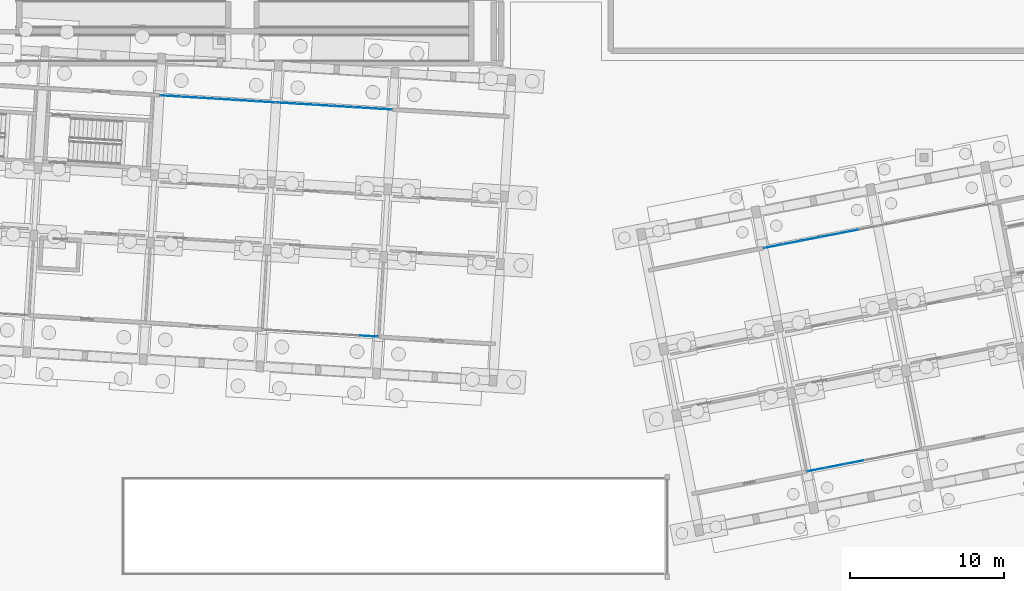
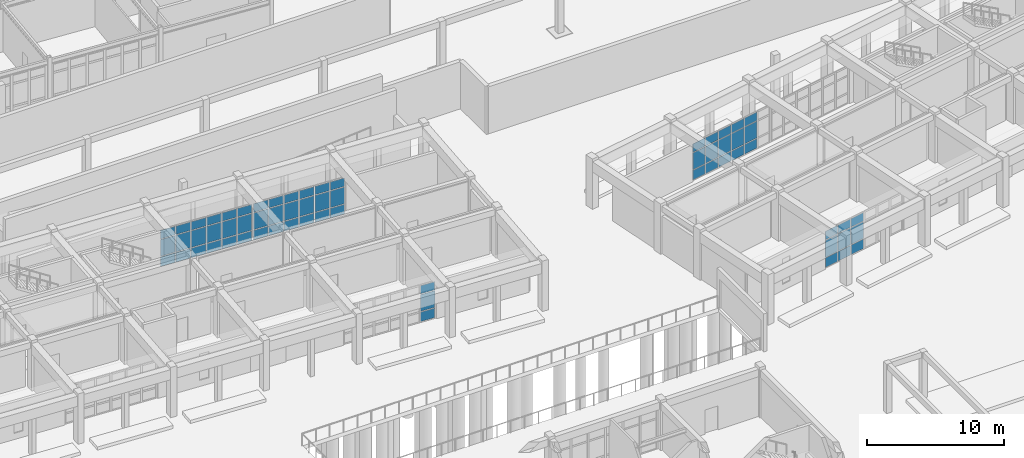
# One storey, part 106 of 154: 63 plates, 5 elements without a shape of their own.
"""IFC4 building model written with IfcOpenShell, lengths in metres."""

from ifc_helpers import new_model, si_unit, direction, frame, origin, origin_2d, place, context, subcontext, project, spatial, rectangle, extrude, material, layer, layer_set, type_object, element, aggregate, save


model = new_model("IFC4")

# Units and contexts
model_context = context("Model", 3, precision=1e-05, world=origin(), true_north=direction((0.0, 1.0)))
body_context = subcontext(model_context, "Body", "Model", "MODEL_VIEW")
ifc_project = project(units=[si_unit("LENGTHUNIT", "METRE"), si_unit("AREAUNIT", "SQUARE_METRE"), si_unit("VOLUMEUNIT", "CUBIC_METRE"), si_unit("PLANEANGLEUNIT", "RADIAN"), si_unit("MASSUNIT", "GRAM", prefix="KILO")], contexts=[model_context])

# Site, building, storey
site_placement = place(None, origin())
site = spatial("IfcSite", under=ifc_project, at=site_placement, CompositionType="ELEMENT")
building_placement = place(site_placement, origin())
building = spatial("IfcBuilding", under=site, at=building_placement, Name="Kestramere Prow Commons", CompositionType="ELEMENT")
storey_placement = place(building_placement, origin())
storey = spatial("IfcBuildingStorey", under=building, at=storey_placement, Name="L00", CompositionType="ELEMENT", Elevation=0.0)

# Curtain wall, plates
ifc_material_1 = material(Name="Anodised Aluminium and Low-E Glass", Category="aluminium")
curtain_wall_type = type_object("IfcCurtainWallType", Name="CW-07 Glazed Curtain Wall 7580x3350", PredefinedType="USERDEFINED", material=ifc_material_1)
curtain_wall_1_placement = place(storey_placement, origin())
curtain_wall_1 = element("IfcCurtainWall", 1, at=curtain_wall_1_placement, inside=storey, type_object=curtain_wall_type, Name="Block C L00 South Colonnade Storefront 5", ObjectType="GLAZED CURTAIN WALL", PredefinedType="USERDEFINED")
ifc_material_2 = material(Name="Low-E Laminated Double Glazing", Category="glass")
ifc_layer = layer(ifc_material_2, 0.028076171875)
ifc_layer_set = layer_set([ifc_layer], Name="Low-E Laminated Double Glazing")
plate_type = type_object("IfcPlateType", Name="CW-PNL-28", PredefinedType="CURTAIN_PANEL", material=ifc_layer_set)
plate_1_placement = place(storey_placement, frame((96.9189453125, 46.61572265625, 0.06494140625), z_axis=(0.0, 0.0, 1.0), x_axis=(-0.998134797477, 0.061048554987, 0.0)))
plate_1 = element("IfcPlate", 2, at=plate_1_placement, type_object=plate_type, Name="CW-07 panel 1.1", PredefinedType="CURTAIN_PANEL", context=body_context, shape_type="SweptSolid", body=[
    extrude(rectangle(XDim=1.165771484375, YDim=0.028076171875, at=origin_2d()), origin(), (0.0, 0.0, 1.0), 0.8525390625),
])
plate_2_placement = place(storey_placement, frame((96.9189453125, 46.61572265625, 0.982421875), z_axis=(0.0, 0.0, 1.0), x_axis=(-0.998134797477, 0.061048554987, 0.0)))
plate_2 = element("IfcPlate", 3, at=plate_2_placement, type_object=plate_type, Name="CW-07 panel 1.2", PredefinedType="CURTAIN_PANEL", context=body_context, shape_type="SweptSolid", body=[
    extrude(rectangle(XDim=1.165771484375, YDim=0.028076171875, at=origin_2d()), origin(), (0.0, 0.0, 1.0), 1.485107421875),
])
plate_3_placement = place(storey_placement, frame((96.9189453125, 46.61572265625, 2.532470703125), z_axis=(0.0, 0.0, 1.0), x_axis=(-0.998134797477, 0.061048554987, 0.0)))
plate_3 = element("IfcPlate", 4, at=plate_3_placement, type_object=plate_type, Name="CW-07 panel 1.3", PredefinedType="CURTAIN_PANEL", context=body_context, shape_type="SweptSolid", body=[
    extrude(rectangle(XDim=1.165771484375, YDim=0.028076171875, at=origin_2d()), origin(), (0.0, 0.0, 1.0), 0.75244140625),
])
aggregate(curtain_wall_1, [plate_1, plate_2, plate_3])

curtain_wall_2_placement = place(storey_placement, origin())
curtain_wall_2 = element("IfcCurtainWall", 5, at=curtain_wall_2_placement, inside=storey, type_object=curtain_wall_type, Name="Block C L00 North Courtyard Storefront 4", ObjectType="GLAZED CURTAIN WALL", PredefinedType="USERDEFINED")
plate_4_placement = place(storey_placement, frame((83.964111328125, 62.23583984375, 0.06494140625), z_axis=(0.0, 0.0, 1.0), x_axis=(0.998134797477, -0.061048554987, 0.0)))
plate_4 = element("IfcPlate", 6, at=plate_4_placement, type_object=plate_type, Name="CW-07 panel 1.1", PredefinedType="CURTAIN_PANEL", context=body_context, shape_type="SweptSolid", body=[
    extrude(rectangle(XDim=1.165771484375, YDim=0.028076171875, at=origin_2d()), origin(), (0.0, 0.0, 1.0), 0.8525390625),
])
plate_5_placement = place(storey_placement, frame((83.964111328125, 62.23583984375, 0.982421875), z_axis=(0.0, 0.0, 1.0), x_axis=(0.998134797477, -0.061048554987, 0.0)))
plate_5 = element("IfcPlate", 7, at=plate_5_placement, type_object=plate_type, Name="CW-07 panel 1.2", PredefinedType="CURTAIN_PANEL", context=body_context, shape_type="SweptSolid", body=[
    extrude(rectangle(XDim=1.165771484375, YDim=0.028076171875, at=origin_2d()), origin(), (0.0, 0.0, 1.0), 1.485107421875),
])
plate_6_placement = place(storey_placement, frame((83.964111328125, 62.23583984375, 2.532470703125), z_axis=(0.0, 0.0, 1.0), x_axis=(0.998134797477, -0.061048554987, 0.0)))
plate_6 = element("IfcPlate", 8, at=plate_6_placement, type_object=plate_type, Name="CW-07 panel 1.3", PredefinedType="CURTAIN_PANEL", context=body_context, shape_type="SweptSolid", body=[
    extrude(rectangle(XDim=1.165771484375, YDim=0.028076171875, at=origin_2d()), origin(), (0.0, 0.0, 1.0), 0.75244140625),
])
plate_7_placement = place(storey_placement, frame((85.208984375, 62.15966796875, 0.06494140625), z_axis=(0.0, 0.0, 1.0), x_axis=(0.998134797477, -0.061048554987, 0.0)))
plate_7 = element("IfcPlate", 9, at=plate_7_placement, type_object=plate_type, Name="CW-07 panel 2.1", PredefinedType="CURTAIN_PANEL", context=body_context, shape_type="SweptSolid", body=[
    extrude(rectangle(XDim=1.1982421875, YDim=0.028076171875, at=origin_2d()), origin(), (0.0, 0.0, 1.0), 0.8525390625),
])
plate_8_placement = place(storey_placement, frame((85.208984375, 62.15966796875, 0.982421875), z_axis=(0.0, 0.0, 1.0), x_axis=(0.998134797477, -0.061048554987, 0.0)))
plate_8 = element("IfcPlate", 10, at=plate_8_placement, type_object=plate_type, Name="CW-07 panel 2.2", PredefinedType="CURTAIN_PANEL", context=body_context, shape_type="SweptSolid", body=[
    extrude(rectangle(XDim=1.1982421875, YDim=0.028076171875, at=origin_2d()), origin(), (0.0, 0.0, 1.0), 1.485107421875),
])
plate_9_placement = place(storey_placement, frame((85.208984375, 62.15966796875, 2.532470703125), z_axis=(0.0, 0.0, 1.0), x_axis=(0.998134797477, -0.061048554987, 0.0)))
plate_9 = element("IfcPlate", 11, at=plate_9_placement, type_object=plate_type, Name="CW-07 panel 2.3", PredefinedType="CURTAIN_PANEL", context=body_context, shape_type="SweptSolid", body=[
    extrude(rectangle(XDim=1.1982421875, YDim=0.028076171875, at=origin_2d()), origin(), (0.0, 0.0, 1.0), 0.75244140625),
])
plate_10_placement = place(storey_placement, frame((86.469970703125, 62.08251953125, 0.06494140625), z_axis=(0.0, 0.0, 1.0), x_axis=(0.998134797477, -0.061048554987, 0.0)))
plate_10 = element("IfcPlate", 12, at=plate_10_placement, type_object=plate_type, Name="CW-07 panel 3.1", PredefinedType="CURTAIN_PANEL", context=body_context, shape_type="SweptSolid", body=[
    extrude(rectangle(XDim=1.1982421875, YDim=0.028076171875, at=origin_2d()), origin(), (0.0, 0.0, 1.0), 0.8525390625),
])
plate_11_placement = place(storey_placement, frame((86.469970703125, 62.08251953125, 0.982421875), z_axis=(0.0, 0.0, 1.0), x_axis=(0.998134797477, -0.061048554987, 0.0)))
plate_11 = element("IfcPlate", 13, at=plate_11_placement, type_object=plate_type, Name="CW-07 panel 3.2", PredefinedType="CURTAIN_PANEL", context=body_context, shape_type="SweptSolid", body=[
    extrude(rectangle(XDim=1.1982421875, YDim=0.028076171875, at=origin_2d()), origin(), (0.0, 0.0, 1.0), 1.485107421875),
])
plate_12_placement = place(storey_placement, frame((86.469970703125, 62.08251953125, 2.532470703125), z_axis=(0.0, 0.0, 1.0), x_axis=(0.998134797477, -0.061048554987, 0.0)))
plate_12 = element("IfcPlate", 14, at=plate_12_placement, type_object=plate_type, Name="CW-07 panel 3.3", PredefinedType="CURTAIN_PANEL", context=body_context, shape_type="SweptSolid", body=[
    extrude(rectangle(XDim=1.1982421875, YDim=0.028076171875, at=origin_2d()), origin(), (0.0, 0.0, 1.0), 0.75244140625),
])
plate_13_placement = place(storey_placement, frame((87.73095703125, 62.00537109375, 0.06494140625), z_axis=(0.0, 0.0, 1.0), x_axis=(0.998134797477, -0.061048554987, 0.0)))
plate_13 = element("IfcPlate", 15, at=plate_13_placement, type_object=plate_type, Name="CW-07 panel 4.1", PredefinedType="CURTAIN_PANEL", context=body_context, shape_type="SweptSolid", body=[
    extrude(rectangle(XDim=1.1982421875, YDim=0.028076171875, at=origin_2d()), origin(), (0.0, 0.0, 1.0), 0.8525390625),
])
plate_14_placement = place(storey_placement, frame((87.73095703125, 62.00537109375, 0.982421875), z_axis=(0.0, 0.0, 1.0), x_axis=(0.998134797477, -0.061048554987, 0.0)))
plate_14 = element("IfcPlate", 16, at=plate_14_placement, type_object=plate_type, Name="CW-07 panel 4.2", PredefinedType="CURTAIN_PANEL", context=body_context, shape_type="SweptSolid", body=[
    extrude(rectangle(XDim=1.1982421875, YDim=0.028076171875, at=origin_2d()), origin(), (0.0, 0.0, 1.0), 1.485107421875),
])
plate_15_placement = place(storey_placement, frame((87.73095703125, 62.00537109375, 2.532470703125), z_axis=(0.0, 0.0, 1.0), x_axis=(0.998134797477, -0.061048554987, 0.0)))
plate_15 = element("IfcPlate", 17, at=plate_15_placement, type_object=plate_type, Name="CW-07 panel 4.3", PredefinedType="CURTAIN_PANEL", context=body_context, shape_type="SweptSolid", body=[
    extrude(rectangle(XDim=1.1982421875, YDim=0.028076171875, at=origin_2d()), origin(), (0.0, 0.0, 1.0), 0.75244140625),
])
plate_16_placement = place(storey_placement, frame((88.991943359375, 61.92822265625, 0.06494140625), z_axis=(0.0, 0.0, 1.0), x_axis=(0.998134797477, -0.061048554987, 0.0)))
plate_16 = element("IfcPlate", 18, at=plate_16_placement, type_object=plate_type, Name="CW-07 panel 5.1", PredefinedType="CURTAIN_PANEL", context=body_context, shape_type="SweptSolid", body=[
    extrude(rectangle(XDim=1.1982421875, YDim=0.028076171875, at=origin_2d()), origin(), (0.0, 0.0, 1.0), 0.8525390625),
])
plate_17_placement = place(storey_placement, frame((88.991943359375, 61.92822265625, 0.982421875), z_axis=(0.0, 0.0, 1.0), x_axis=(0.998134797477, -0.061048554987, 0.0)))
plate_17 = element("IfcPlate", 19, at=plate_17_placement, type_object=plate_type, Name="CW-07 panel 5.2", PredefinedType="CURTAIN_PANEL", context=body_context, shape_type="SweptSolid", body=[
    extrude(rectangle(XDim=1.1982421875, YDim=0.028076171875, at=origin_2d()), origin(), (0.0, 0.0, 1.0), 1.485107421875),
])
plate_18_placement = place(storey_placement, frame((88.991943359375, 61.92822265625, 2.532470703125), z_axis=(0.0, 0.0, 1.0), x_axis=(0.998134797477, -0.061048554987, 0.0)))
plate_18 = element("IfcPlate", 20, at=plate_18_placement, type_object=plate_type, Name="CW-07 panel 5.3", PredefinedType="CURTAIN_PANEL", context=body_context, shape_type="SweptSolid", body=[
    extrude(rectangle(XDim=1.1982421875, YDim=0.028076171875, at=origin_2d()), origin(), (0.0, 0.0, 1.0), 0.75244140625),
])
plate_19_placement = place(storey_placement, frame((90.236572265625, 61.852294921875, 0.06494140625), z_axis=(0.0, 0.0, 1.0), x_axis=(0.998134797477, -0.061048554987, 0.0)))
plate_19 = element("IfcPlate", 21, at=plate_19_placement, type_object=plate_type, Name="CW-07 panel 6.1", PredefinedType="CURTAIN_PANEL", context=body_context, shape_type="SweptSolid", body=[
    extrude(rectangle(XDim=1.165771484375, YDim=0.028076171875, at=origin_2d()), origin(), (0.0, 0.0, 1.0), 0.8525390625),
])
plate_20_placement = place(storey_placement, frame((90.236572265625, 61.852294921875, 0.982421875), z_axis=(0.0, 0.0, 1.0), x_axis=(0.998134797477, -0.061048554987, 0.0)))
plate_20 = element("IfcPlate", 22, at=plate_20_placement, type_object=plate_type, Name="CW-07 panel 6.2", PredefinedType="CURTAIN_PANEL", context=body_context, shape_type="SweptSolid", body=[
    extrude(rectangle(XDim=1.165771484375, YDim=0.028076171875, at=origin_2d()), origin(), (0.0, 0.0, 1.0), 1.485107421875),
])
plate_21_placement = place(storey_placement, frame((90.236572265625, 61.852294921875, 2.532470703125), z_axis=(0.0, 0.0, 1.0), x_axis=(0.998134797477, -0.061048554987, 0.0)))
plate_21 = element("IfcPlate", 23, at=plate_21_placement, type_object=plate_type, Name="CW-07 panel 6.3", PredefinedType="CURTAIN_PANEL", context=body_context, shape_type="SweptSolid", body=[
    extrude(rectangle(XDim=1.165771484375, YDim=0.028076171875, at=origin_2d()), origin(), (0.0, 0.0, 1.0), 0.75244140625),
])
aggregate(curtain_wall_2, [plate_4, plate_5, plate_6, plate_7, plate_8, plate_9, plate_10, plate_11, plate_12, plate_13, plate_14, plate_15, plate_16, plate_17, plate_18, plate_19, plate_20, plate_21])

curtain_wall_3_placement = place(storey_placement, origin())
curtain_wall_3 = element("IfcCurtainWall", 24, at=curtain_wall_3_placement, inside=storey, type_object=curtain_wall_type, Name="Block C L00 North Courtyard Storefront 5", ObjectType="GLAZED CURTAIN WALL", PredefinedType="USERDEFINED")
plate_22_placement = place(storey_placement, frame((91.550048828125, 61.77197265625, 0.06494140625), z_axis=(0.0, 0.0, 1.0), x_axis=(0.998134806007, -0.061048415517, 0.0)))
plate_22 = element("IfcPlate", 25, at=plate_22_placement, type_object=plate_type, Name="CW-07 panel 1.1", PredefinedType="CURTAIN_PANEL", context=body_context, shape_type="SweptSolid", body=[
    extrude(rectangle(XDim=1.165771484375, YDim=0.028076171875, at=origin_2d()), origin(), (0.0, 0.0, 1.0), 0.8525390625),
])
plate_23_placement = place(storey_placement, frame((91.550048828125, 61.77197265625, 0.982421875), z_axis=(0.0, 0.0, 1.0), x_axis=(0.998134806007, -0.061048415517, 0.0)))
plate_23 = element("IfcPlate", 26, at=plate_23_placement, type_object=plate_type, Name="CW-07 panel 1.2", PredefinedType="CURTAIN_PANEL", context=body_context, shape_type="SweptSolid", body=[
    extrude(rectangle(XDim=1.165771484375, YDim=0.028076171875, at=origin_2d()), origin(), (0.0, 0.0, 1.0), 1.485107421875),
])
plate_24_placement = place(storey_placement, frame((91.550048828125, 61.77197265625, 2.532470703125), z_axis=(0.0, 0.0, 1.0), x_axis=(0.998134806007, -0.061048415517, 0.0)))
plate_24 = element("IfcPlate", 27, at=plate_24_placement, type_object=plate_type, Name="CW-07 panel 1.3", PredefinedType="CURTAIN_PANEL", context=body_context, shape_type="SweptSolid", body=[
    extrude(rectangle(XDim=1.165771484375, YDim=0.028076171875, at=origin_2d()), origin(), (0.0, 0.0, 1.0), 0.75244140625),
])
plate_25_placement = place(storey_placement, frame((92.794677734375, 61.69580078125, 0.06494140625), z_axis=(0.0, 0.0, 1.0), x_axis=(0.998134806007, -0.061048415517, 0.0)))
plate_25 = element("IfcPlate", 28, at=plate_25_placement, type_object=plate_type, Name="CW-07 panel 2.1", PredefinedType="CURTAIN_PANEL", context=body_context, shape_type="SweptSolid", body=[
    extrude(rectangle(XDim=1.1982421875, YDim=0.028076171875, at=origin_2d()), origin(), (0.0, 0.0, 1.0), 0.8525390625),
])
plate_26_placement = place(storey_placement, frame((92.794677734375, 61.69580078125, 0.982421875), z_axis=(0.0, 0.0, 1.0), x_axis=(0.998134806007, -0.061048415517, 0.0)))
plate_26 = element("IfcPlate", 29, at=plate_26_placement, type_object=plate_type, Name="CW-07 panel 2.2", PredefinedType="CURTAIN_PANEL", context=body_context, shape_type="SweptSolid", body=[
    extrude(rectangle(XDim=1.1982421875, YDim=0.028076171875, at=origin_2d()), origin(), (0.0, 0.0, 1.0), 1.485107421875),
])
plate_27_placement = place(storey_placement, frame((92.794677734375, 61.69580078125, 2.532470703125), z_axis=(0.0, 0.0, 1.0), x_axis=(0.998134806007, -0.061048415517, 0.0)))
plate_27 = element("IfcPlate", 30, at=plate_27_placement, type_object=plate_type, Name="CW-07 panel 2.3", PredefinedType="CURTAIN_PANEL", context=body_context, shape_type="SweptSolid", body=[
    extrude(rectangle(XDim=1.1982421875, YDim=0.028076171875, at=origin_2d()), origin(), (0.0, 0.0, 1.0), 0.75244140625),
])
plate_28_placement = place(storey_placement, frame((94.0556640625, 61.61865234375, 0.06494140625), z_axis=(0.0, 0.0, 1.0), x_axis=(0.998134806007, -0.061048415517, 0.0)))
plate_28 = element("IfcPlate", 31, at=plate_28_placement, type_object=plate_type, Name="CW-07 panel 3.1", PredefinedType="CURTAIN_PANEL", context=body_context, shape_type="SweptSolid", body=[
    extrude(rectangle(XDim=1.1982421875, YDim=0.028076171875, at=origin_2d()), origin(), (0.0, 0.0, 1.0), 0.8525390625),
])
plate_29_placement = place(storey_placement, frame((94.0556640625, 61.61865234375, 0.982421875), z_axis=(0.0, 0.0, 1.0), x_axis=(0.998134806007, -0.061048415517, 0.0)))
plate_29 = element("IfcPlate", 32, at=plate_29_placement, type_object=plate_type, Name="CW-07 panel 3.2", PredefinedType="CURTAIN_PANEL", context=body_context, shape_type="SweptSolid", body=[
    extrude(rectangle(XDim=1.1982421875, YDim=0.028076171875, at=origin_2d()), origin(), (0.0, 0.0, 1.0), 1.485107421875),
])
plate_30_placement = place(storey_placement, frame((94.0556640625, 61.61865234375, 2.532470703125), z_axis=(0.0, 0.0, 1.0), x_axis=(0.998134806007, -0.061048415517, 0.0)))
plate_30 = element("IfcPlate", 33, at=plate_30_placement, type_object=plate_type, Name="CW-07 panel 3.3", PredefinedType="CURTAIN_PANEL", context=body_context, shape_type="SweptSolid", body=[
    extrude(rectangle(XDim=1.1982421875, YDim=0.028076171875, at=origin_2d()), origin(), (0.0, 0.0, 1.0), 0.75244140625),
])
plate_31_placement = place(storey_placement, frame((95.316650390625, 61.54150390625, 0.06494140625), z_axis=(0.0, 0.0, 1.0), x_axis=(0.998134806007, -0.061048415517, 0.0)))
plate_31 = element("IfcPlate", 34, at=plate_31_placement, type_object=plate_type, Name="CW-07 panel 4.1", PredefinedType="CURTAIN_PANEL", context=body_context, shape_type="SweptSolid", body=[
    extrude(rectangle(XDim=1.1982421875, YDim=0.028076171875, at=origin_2d()), origin(), (0.0, 0.0, 1.0), 0.8525390625),
])
plate_32_placement = place(storey_placement, frame((95.316650390625, 61.54150390625, 0.982421875), z_axis=(0.0, 0.0, 1.0), x_axis=(0.998134806007, -0.061048415517, 0.0)))
plate_32 = element("IfcPlate", 35, at=plate_32_placement, type_object=plate_type, Name="CW-07 panel 4.2", PredefinedType="CURTAIN_PANEL", context=body_context, shape_type="SweptSolid", body=[
    extrude(rectangle(XDim=1.1982421875, YDim=0.028076171875, at=origin_2d()), origin(), (0.0, 0.0, 1.0), 1.485107421875),
])
plate_33_placement = place(storey_placement, frame((95.316650390625, 61.54150390625, 2.532470703125), z_axis=(0.0, 0.0, 1.0), x_axis=(0.998134806007, -0.061048415517, 0.0)))
plate_33 = element("IfcPlate", 36, at=plate_33_placement, type_object=plate_type, Name="CW-07 panel 4.3", PredefinedType="CURTAIN_PANEL", context=body_context, shape_type="SweptSolid", body=[
    extrude(rectangle(XDim=1.1982421875, YDim=0.028076171875, at=origin_2d()), origin(), (0.0, 0.0, 1.0), 0.75244140625),
])
plate_34_placement = place(storey_placement, frame((96.57763671875, 61.46435546875, 0.06494140625), z_axis=(0.0, 0.0, 1.0), x_axis=(0.998134806007, -0.061048415517, 0.0)))
plate_34 = element("IfcPlate", 37, at=plate_34_placement, type_object=plate_type, Name="CW-07 panel 5.1", PredefinedType="CURTAIN_PANEL", context=body_context, shape_type="SweptSolid", body=[
    extrude(rectangle(XDim=1.1982421875, YDim=0.028076171875, at=origin_2d()), origin(), (0.0, 0.0, 1.0), 0.8525390625),
])
plate_35_placement = place(storey_placement, frame((96.57763671875, 61.46435546875, 0.982421875), z_axis=(0.0, 0.0, 1.0), x_axis=(0.998134806007, -0.061048415517, 0.0)))
plate_35 = element("IfcPlate", 38, at=plate_35_placement, type_object=plate_type, Name="CW-07 panel 5.2", PredefinedType="CURTAIN_PANEL", context=body_context, shape_type="SweptSolid", body=[
    extrude(rectangle(XDim=1.1982421875, YDim=0.028076171875, at=origin_2d()), origin(), (0.0, 0.0, 1.0), 1.485107421875),
])
plate_36_placement = place(storey_placement, frame((96.57763671875, 61.46435546875, 2.532470703125), z_axis=(0.0, 0.0, 1.0), x_axis=(0.998134806007, -0.061048415517, 0.0)))
plate_36 = element("IfcPlate", 39, at=plate_36_placement, type_object=plate_type, Name="CW-07 panel 5.3", PredefinedType="CURTAIN_PANEL", context=body_context, shape_type="SweptSolid", body=[
    extrude(rectangle(XDim=1.1982421875, YDim=0.028076171875, at=origin_2d()), origin(), (0.0, 0.0, 1.0), 0.75244140625),
])
plate_37_placement = place(storey_placement, frame((97.822509765625, 61.38818359375, 0.06494140625), z_axis=(0.0, 0.0, 1.0), x_axis=(0.998134806007, -0.061048415517, 0.0)))
plate_37 = element("IfcPlate", 40, at=plate_37_placement, type_object=plate_type, Name="CW-07 panel 6.1", PredefinedType="CURTAIN_PANEL", context=body_context, shape_type="SweptSolid", body=[
    extrude(rectangle(XDim=1.165771484375, YDim=0.028076171875, at=origin_2d()), origin(), (0.0, 0.0, 1.0), 0.8525390625),
])
plate_38_placement = place(storey_placement, frame((97.822509765625, 61.38818359375, 0.982421875), z_axis=(0.0, 0.0, 1.0), x_axis=(0.998134806007, -0.061048415517, 0.0)))
plate_38 = element("IfcPlate", 41, at=plate_38_placement, type_object=plate_type, Name="CW-07 panel 6.2", PredefinedType="CURTAIN_PANEL", context=body_context, shape_type="SweptSolid", body=[
    extrude(rectangle(XDim=1.165771484375, YDim=0.028076171875, at=origin_2d()), origin(), (0.0, 0.0, 1.0), 1.485107421875),
])
plate_39_placement = place(storey_placement, frame((97.822509765625, 61.38818359375, 2.532470703125), z_axis=(0.0, 0.0, 1.0), x_axis=(0.998134806007, -0.061048415517, 0.0)))
plate_39 = element("IfcPlate", 42, at=plate_39_placement, type_object=plate_type, Name="CW-07 panel 6.3", PredefinedType="CURTAIN_PANEL", context=body_context, shape_type="SweptSolid", body=[
    extrude(rectangle(XDim=1.165771484375, YDim=0.028076171875, at=origin_2d()), origin(), (0.0, 0.0, 1.0), 0.75244140625),
])
aggregate(curtain_wall_3, [plate_22, plate_23, plate_24, plate_25, plate_26, plate_27, plate_28, plate_29, plate_30, plate_31, plate_32, plate_33, plate_34, plate_35, plate_36, plate_37, plate_38, plate_39])

curtain_wall_4_placement = place(storey_placement, origin())
curtain_wall_4 = element("IfcCurtainWall", 43, at=curtain_wall_4_placement, inside=storey, type_object=curtain_wall_type, Name="Block D L00 South Colonnade Storefront 2", ObjectType="GLAZED CURTAIN WALL", PredefinedType="USERDEFINED")
plate_40_placement = place(storey_placement, frame((128.512451171875, 38.41064453125, 0.06494140625), z_axis=(0.0, 0.0, 1.0), x_axis=(-0.981627187774, -0.190808973121, 0.0)))
plate_40 = element("IfcPlate", 44, at=plate_40_placement, type_object=plate_type, Name="CW-07 panel 4.1", PredefinedType="CURTAIN_PANEL", context=body_context, shape_type="SweptSolid", body=[
    extrude(rectangle(XDim=1.1982421875, YDim=0.028076171875, at=origin_2d()), origin(), (0.0, 0.0, 1.0), 0.8525390625),
])
plate_41_placement = place(storey_placement, frame((128.512451171875, 38.41064453125, 0.982421875), z_axis=(0.0, 0.0, 1.0), x_axis=(-0.981627187774, -0.190808973121, 0.0)))
plate_41 = element("IfcPlate", 45, at=plate_41_placement, type_object=plate_type, Name="CW-07 panel 4.2", PredefinedType="CURTAIN_PANEL", context=body_context, shape_type="SweptSolid", body=[
    extrude(rectangle(XDim=1.1982421875, YDim=0.028076171875, at=origin_2d()), origin(), (0.0, 0.0, 1.0), 1.485107421875),
])
plate_42_placement = place(storey_placement, frame((128.512451171875, 38.41064453125, 2.532470703125), z_axis=(0.0, 0.0, 1.0), x_axis=(-0.981627187774, -0.190808973121, 0.0)))
plate_42 = element("IfcPlate", 46, at=plate_42_placement, type_object=plate_type, Name="CW-07 panel 4.3", PredefinedType="CURTAIN_PANEL", context=body_context, shape_type="SweptSolid", body=[
    extrude(rectangle(XDim=1.1982421875, YDim=0.028076171875, at=origin_2d()), origin(), (0.0, 0.0, 1.0), 0.75244140625),
])
plate_43_placement = place(storey_placement, frame((127.2724609375, 38.16943359375, 0.06494140625), z_axis=(0.0, 0.0, 1.0), x_axis=(-0.981627187774, -0.190808973121, 0.0)))
plate_43 = element("IfcPlate", 47, at=plate_43_placement, type_object=plate_type, Name="CW-07 panel 5.1", PredefinedType="CURTAIN_PANEL", context=body_context, shape_type="SweptSolid", body=[
    extrude(rectangle(XDim=1.1982421875, YDim=0.028076171875, at=origin_2d()), origin(), (0.0, 0.0, 1.0), 0.8525390625),
])
plate_44_placement = place(storey_placement, frame((127.2724609375, 38.16943359375, 0.982421875), z_axis=(0.0, 0.0, 1.0), x_axis=(-0.981627187774, -0.190808973121, 0.0)))
plate_44 = element("IfcPlate", 48, at=plate_44_placement, type_object=plate_type, Name="CW-07 panel 5.2", PredefinedType="CURTAIN_PANEL", context=body_context, shape_type="SweptSolid", body=[
    extrude(rectangle(XDim=1.1982421875, YDim=0.028076171875, at=origin_2d()), origin(), (0.0, 0.0, 1.0), 1.485107421875),
])
plate_45_placement = place(storey_placement, frame((127.2724609375, 38.16943359375, 2.532470703125), z_axis=(0.0, 0.0, 1.0), x_axis=(-0.981627187774, -0.190808973121, 0.0)))
plate_45 = element("IfcPlate", 49, at=plate_45_placement, type_object=plate_type, Name="CW-07 panel 5.3", PredefinedType="CURTAIN_PANEL", context=body_context, shape_type="SweptSolid", body=[
    extrude(rectangle(XDim=1.1982421875, YDim=0.028076171875, at=origin_2d()), origin(), (0.0, 0.0, 1.0), 0.75244140625),
])
plate_46_placement = place(storey_placement, frame((126.04833984375, 37.931640625, 0.06494140625), z_axis=(0.0, 0.0, 1.0), x_axis=(-0.981627187774, -0.190808973121, 0.0)))
plate_46 = element("IfcPlate", 50, at=plate_46_placement, type_object=plate_type, Name="CW-07 panel 6.1", PredefinedType="CURTAIN_PANEL", context=body_context, shape_type="SweptSolid", body=[
    extrude(rectangle(XDim=1.165771484375, YDim=0.028076171875, at=origin_2d()), origin(), (0.0, 0.0, 1.0), 0.8525390625),
])
plate_47_placement = place(storey_placement, frame((126.04833984375, 37.931640625, 0.982421875), z_axis=(0.0, 0.0, 1.0), x_axis=(-0.981627187774, -0.190808973121, 0.0)))
plate_47 = element("IfcPlate", 51, at=plate_47_placement, type_object=plate_type, Name="CW-07 panel 6.2", PredefinedType="CURTAIN_PANEL", context=body_context, shape_type="SweptSolid", body=[
    extrude(rectangle(XDim=1.165771484375, YDim=0.028076171875, at=origin_2d()), origin(), (0.0, 0.0, 1.0), 1.485107421875),
])
plate_48_placement = place(storey_placement, frame((126.04833984375, 37.931640625, 2.532470703125), z_axis=(0.0, 0.0, 1.0), x_axis=(-0.981627187774, -0.190808973121, 0.0)))
plate_48 = element("IfcPlate", 52, at=plate_48_placement, type_object=plate_type, Name="CW-07 panel 6.3", PredefinedType="CURTAIN_PANEL", context=body_context, shape_type="SweptSolid", body=[
    extrude(rectangle(XDim=1.165771484375, YDim=0.028076171875, at=origin_2d()), origin(), (0.0, 0.0, 1.0), 0.75244140625),
])
aggregate(curtain_wall_4, [plate_40, plate_41, plate_42, plate_43, plate_44, plate_45, plate_46, plate_47, plate_48])

curtain_wall_5_placement = place(storey_placement, origin())
curtain_wall_5 = element("IfcCurtainWall", 53, at=curtain_wall_5_placement, inside=storey, type_object=curtain_wall_type, Name="Block D L00 North Courtyard Storefront 2", ObjectType="GLAZED CURTAIN WALL", PredefinedType="USERDEFINED")
plate_49_placement = place(storey_placement, frame((123.224365234375, 52.459716796875, 0.06494140625), z_axis=(0.0, 0.0, 1.0), x_axis=(0.981627187774, 0.190808973121, 0.0)))
plate_49 = element("IfcPlate", 54, at=plate_49_placement, type_object=plate_type, Name="CW-07 panel 1.1", PredefinedType="CURTAIN_PANEL", context=body_context, shape_type="SweptSolid", body=[
    extrude(rectangle(XDim=1.165771484375, YDim=0.028076171875, at=origin_2d()), origin(), (0.0, 0.0, 1.0), 0.8525390625),
])
plate_50_placement = place(storey_placement, frame((123.224365234375, 52.459716796875, 0.982421875), z_axis=(0.0, 0.0, 1.0), x_axis=(0.981627187774, 0.190808973121, 0.0)))
plate_50 = element("IfcPlate", 55, at=plate_50_placement, type_object=plate_type, Name="CW-07 panel 1.2", PredefinedType="CURTAIN_PANEL", context=body_context, shape_type="SweptSolid", body=[
    extrude(rectangle(XDim=1.165771484375, YDim=0.028076171875, at=origin_2d()), origin(), (0.0, 0.0, 1.0), 1.485107421875),
])
plate_51_placement = place(storey_placement, frame((123.224365234375, 52.459716796875, 2.532470703125), z_axis=(0.0, 0.0, 1.0), x_axis=(0.981627187774, 0.190808973121, 0.0)))
plate_51 = element("IfcPlate", 56, at=plate_51_placement, type_object=plate_type, Name="CW-07 panel 1.3", PredefinedType="CURTAIN_PANEL", context=body_context, shape_type="SweptSolid", body=[
    extrude(rectangle(XDim=1.165771484375, YDim=0.028076171875, at=origin_2d()), origin(), (0.0, 0.0, 1.0), 0.75244140625),
])
plate_52_placement = place(storey_placement, frame((124.448486328125, 52.697509765625, 0.06494140625), z_axis=(0.0, 0.0, 1.0), x_axis=(0.981627187774, 0.190808973121, 0.0)))
plate_52 = element("IfcPlate", 57, at=plate_52_placement, type_object=plate_type, Name="CW-07 panel 2.1", PredefinedType="CURTAIN_PANEL", context=body_context, shape_type="SweptSolid", body=[
    extrude(rectangle(XDim=1.1982421875, YDim=0.028076171875, at=origin_2d()), origin(), (0.0, 0.0, 1.0), 0.8525390625),
])
plate_53_placement = place(storey_placement, frame((124.448486328125, 52.697509765625, 0.982421875), z_axis=(0.0, 0.0, 1.0), x_axis=(0.981627187774, 0.190808973121, 0.0)))
plate_53 = element("IfcPlate", 58, at=plate_53_placement, type_object=plate_type, Name="CW-07 panel 2.2", PredefinedType="CURTAIN_PANEL", context=body_context, shape_type="SweptSolid", body=[
    extrude(rectangle(XDim=1.1982421875, YDim=0.028076171875, at=origin_2d()), origin(), (0.0, 0.0, 1.0), 1.485107421875),
])
plate_54_placement = place(storey_placement, frame((124.448486328125, 52.697509765625, 2.532470703125), z_axis=(0.0, 0.0, 1.0), x_axis=(0.981627187774, 0.190808973121, 0.0)))
plate_54 = element("IfcPlate", 59, at=plate_54_placement, type_object=plate_type, Name="CW-07 panel 2.3", PredefinedType="CURTAIN_PANEL", context=body_context, shape_type="SweptSolid", body=[
    extrude(rectangle(XDim=1.1982421875, YDim=0.028076171875, at=origin_2d()), origin(), (0.0, 0.0, 1.0), 0.75244140625),
])
plate_55_placement = place(storey_placement, frame((125.6884765625, 52.938720703125, 0.06494140625), z_axis=(0.0, 0.0, 1.0), x_axis=(0.981627187774, 0.190808973121, 0.0)))
plate_55 = element("IfcPlate", 60, at=plate_55_placement, type_object=plate_type, Name="CW-07 panel 3.1", PredefinedType="CURTAIN_PANEL", context=body_context, shape_type="SweptSolid", body=[
    extrude(rectangle(XDim=1.1982421875, YDim=0.028076171875, at=origin_2d()), origin(), (0.0, 0.0, 1.0), 0.8525390625),
])
plate_56_placement = place(storey_placement, frame((125.6884765625, 52.938720703125, 0.982421875), z_axis=(0.0, 0.0, 1.0), x_axis=(0.981627187774, 0.190808973121, 0.0)))
plate_56 = element("IfcPlate", 61, at=plate_56_placement, type_object=plate_type, Name="CW-07 panel 3.2", PredefinedType="CURTAIN_PANEL", context=body_context, shape_type="SweptSolid", body=[
    extrude(rectangle(XDim=1.1982421875, YDim=0.028076171875, at=origin_2d()), origin(), (0.0, 0.0, 1.0), 1.485107421875),
])
plate_57_placement = place(storey_placement, frame((125.6884765625, 52.938720703125, 2.532470703125), z_axis=(0.0, 0.0, 1.0), x_axis=(0.981627187774, 0.190808973121, 0.0)))
plate_57 = element("IfcPlate", 62, at=plate_57_placement, type_object=plate_type, Name="CW-07 panel 3.3", PredefinedType="CURTAIN_PANEL", context=body_context, shape_type="SweptSolid", body=[
    extrude(rectangle(XDim=1.1982421875, YDim=0.028076171875, at=origin_2d()), origin(), (0.0, 0.0, 1.0), 0.75244140625),
])
plate_58_placement = place(storey_placement, frame((126.9287109375, 53.1796875, 0.06494140625), z_axis=(0.0, 0.0, 1.0), x_axis=(0.981627187774, 0.190808973121, 0.0)))
plate_58 = element("IfcPlate", 63, at=plate_58_placement, type_object=plate_type, Name="CW-07 panel 4.1", PredefinedType="CURTAIN_PANEL", context=body_context, shape_type="SweptSolid", body=[
    extrude(rectangle(XDim=1.1982421875, YDim=0.028076171875, at=origin_2d()), origin(), (0.0, 0.0, 1.0), 0.8525390625),
])
plate_59_placement = place(storey_placement, frame((126.9287109375, 53.1796875, 0.982421875), z_axis=(0.0, 0.0, 1.0), x_axis=(0.981627187774, 0.190808973121, 0.0)))
plate_59 = element("IfcPlate", 64, at=plate_59_placement, type_object=plate_type, Name="CW-07 panel 4.2", PredefinedType="CURTAIN_PANEL", context=body_context, shape_type="SweptSolid", body=[
    extrude(rectangle(XDim=1.1982421875, YDim=0.028076171875, at=origin_2d()), origin(), (0.0, 0.0, 1.0), 1.485107421875),
])
plate_60_placement = place(storey_placement, frame((126.9287109375, 53.1796875, 2.532470703125), z_axis=(0.0, 0.0, 1.0), x_axis=(0.981627187774, 0.190808973121, 0.0)))
plate_60 = element("IfcPlate", 65, at=plate_60_placement, type_object=plate_type, Name="CW-07 panel 4.3", PredefinedType="CURTAIN_PANEL", context=body_context, shape_type="SweptSolid", body=[
    extrude(rectangle(XDim=1.1982421875, YDim=0.028076171875, at=origin_2d()), origin(), (0.0, 0.0, 1.0), 0.75244140625),
])
plate_61_placement = place(storey_placement, frame((128.168701171875, 53.4208984375, 0.06494140625), z_axis=(0.0, 0.0, 1.0), x_axis=(0.981627187774, 0.190808973121, 0.0)))
plate_61 = element("IfcPlate", 66, at=plate_61_placement, type_object=plate_type, Name="CW-07 panel 5.1", PredefinedType="CURTAIN_PANEL", context=body_context, shape_type="SweptSolid", body=[
    extrude(rectangle(XDim=1.1982421875, YDim=0.028076171875, at=origin_2d()), origin(), (0.0, 0.0, 1.0), 0.8525390625),
])
plate_62_placement = place(storey_placement, frame((128.168701171875, 53.4208984375, 0.982421875), z_axis=(0.0, 0.0, 1.0), x_axis=(0.981627187774, 0.190808973121, 0.0)))
plate_62 = element("IfcPlate", 67, at=plate_62_placement, type_object=plate_type, Name="CW-07 panel 5.2", PredefinedType="CURTAIN_PANEL", context=body_context, shape_type="SweptSolid", body=[
    extrude(rectangle(XDim=1.1982421875, YDim=0.028076171875, at=origin_2d()), origin(), (0.0, 0.0, 1.0), 1.485107421875),
])
plate_63_placement = place(storey_placement, frame((128.168701171875, 53.4208984375, 2.532470703125), z_axis=(0.0, 0.0, 1.0), x_axis=(0.981627187774, 0.190808973121, 0.0)))
plate_63 = element("IfcPlate", 68, at=plate_63_placement, type_object=plate_type, Name="CW-07 panel 5.3", PredefinedType="CURTAIN_PANEL", context=body_context, shape_type="SweptSolid", body=[
    extrude(rectangle(XDim=1.1982421875, YDim=0.028076171875, at=origin_2d()), origin(), (0.0, 0.0, 1.0), 0.75244140625),
])
aggregate(curtain_wall_5, [plate_49, plate_50, plate_51, plate_52, plate_53, plate_54, plate_55, plate_56, plate_57, plate_58, plate_59, plate_60, plate_61, plate_62, plate_63])

save(model, "model.ifc")
